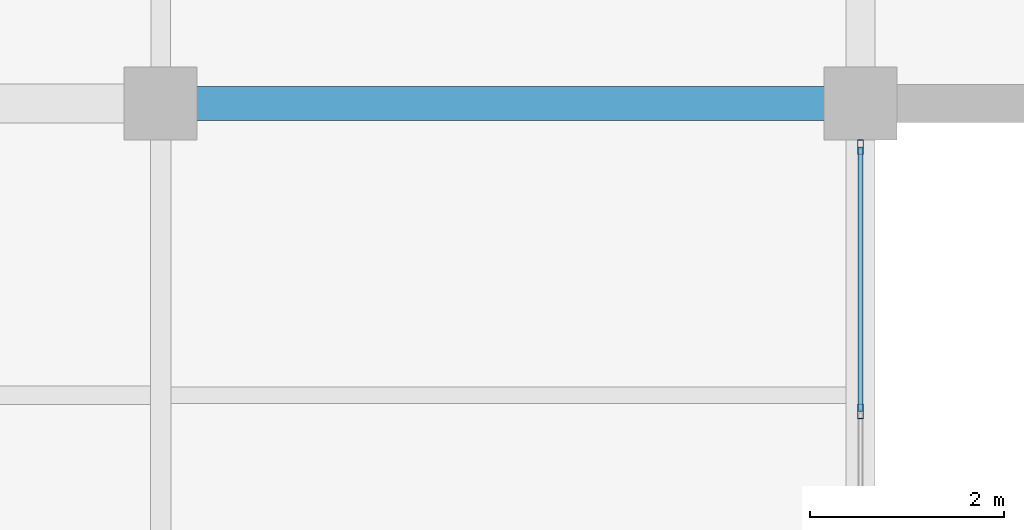
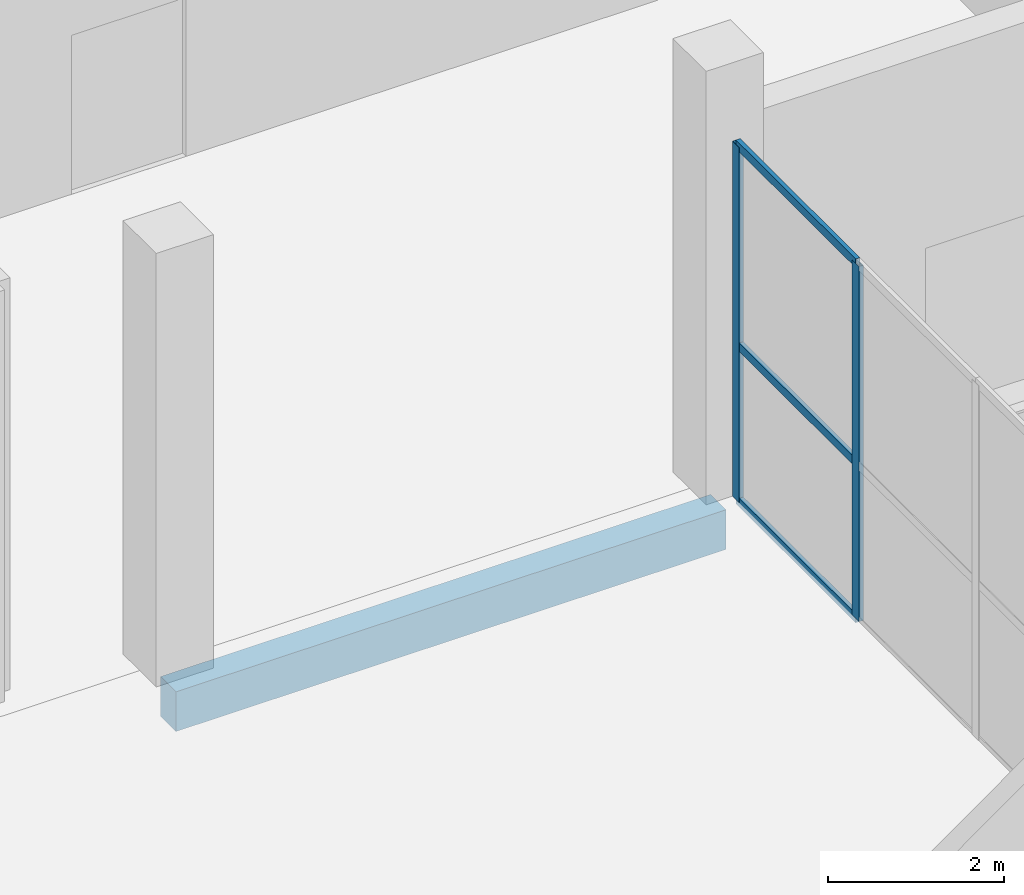
# One storey, part 99 of 144: 5 members, 1 beam, 1 element without a shape of its own.
"""IFC4 building model written with IfcOpenShell, lengths in metres."""

from ifc_helpers import new_model, si_unit, direction, frame, origin, origin_2d, place, context, subcontext, project, spatial, rectangle, hollow_rectangle, extrude, material, layer, layer_set, material_profile, profile_set, type_object, element, aggregate, save


model = new_model("IFC4")

# Units and contexts
model_context = context("Model", 3, precision=1e-05, world=origin(), true_north=direction((0.0, 1.0)))
body_context = subcontext(model_context, "Body", "Model", "MODEL_VIEW")
ifc_project = project(units=[si_unit("LENGTHUNIT", "METRE"), si_unit("AREAUNIT", "SQUARE_METRE"), si_unit("VOLUMEUNIT", "CUBIC_METRE"), si_unit("PLANEANGLEUNIT", "RADIAN"), si_unit("MASSUNIT", "GRAM", prefix="KILO")], contexts=[model_context])

# Site, building, storey
site_placement = place(None, origin())
site = spatial("IfcSite", under=ifc_project, at=site_placement, CompositionType="ELEMENT")
building_placement = place(site_placement, origin())
building = spatial("IfcBuilding", under=site, at=building_placement, Name="Sundgate Opera House", CompositionType="ELEMENT")
storey_placement = place(building_placement, origin())
storey = spatial("IfcBuildingStorey", under=building, at=storey_placement, Name="L00", CompositionType="ELEMENT", Elevation=0.0)

# Beam
ifc_material_1 = material(Name="Concrete C35/45", Category="concrete")
ifc_material_profile_1 = material_profile(ifc_material_1, rectangle(XDim=0.35009765625, YDim=0.550048828125, at=origin_2d()), Name="RC 350x550")
ifc_profile_set_1 = profile_set([ifc_material_profile_1], Name="Concrete C35/45")
beam_type = type_object("IfcBeamType", Name="BM-RC-350x550", PredefinedType="BEAM", material=ifc_profile_set_1)
beam_placement = place(storey_placement, frame((138.60009765625, 69.0, -0.594970703125), z_axis=(1.0, 0.0, 0.0), x_axis=(0.0, 1.0, 0.0)))
element("IfcBeam", 1, at=beam_placement, inside=storey, type_object=beam_type, Name="L00 Primary E-W Girder B0475", PredefinedType="BEAM", context=body_context, shape_type="SweptSolid", body=[
    extrude(rectangle(XDim=0.35009765625, YDim=0.550048828125, at=origin_2d()), origin(), (0.0, 0.0, 1.0), 7.199951171875),
])

# Curtain wall, members
ifc_material_2 = material(Name="Anodized aluminium and low-iron glass", Category="aluminium")
ifc_layer = layer(ifc_material_2, 0.159912109375)
ifc_layer_set = layer_set([ifc_layer], Name="Anodized aluminium and low-iron glass")
curtain_wall_type = type_object("IfcCurtainWallType", Name="CW-STUDIO-DARK", PredefinedType="NOTDEFINED", material=ifc_layer_set)
curtain_wall_placement = place(storey_placement, origin())
curtain_wall = element("IfcCurtainWall", 2, at=curtain_wall_placement, inside=storey, type_object=curtain_wall_type, Name="L00 Curtain Wall CW033", PredefinedType="NOTDEFINED")
ifc_material_3 = material(Name="Anodized aluminium EN AW-6063", Category="aluminium")
ifc_material_profile_2 = material_profile(ifc_material_3, hollow_rectangle(XDim=0.06005859375, YDim=0.14990234375, WallThickness=0.00390625, at=origin_2d()), Name="CWM 150x60x4")
ifc_profile_set_2 = profile_set([ifc_material_profile_2], Name="Anodized aluminium EN AW-6063")
member_type_1 = type_object("IfcMemberType", Name="CWM-ALU-150x60", PredefinedType="MULLION", material=ifc_profile_set_2)
member_1_placement = place(storey_placement, frame((145.800048828125, 65.833251953125, 0.0), z_axis=(0.0, 0.0, 1.0), x_axis=(1.0, 0.0, 0.0)))
member_1 = element("IfcMember", 3, at=member_1_placement, type_object=member_type_1, Name="CW033 Mullion 3", PredefinedType="MULLION", context=body_context, shape_type="SweptSolid", body=[
    extrude(hollow_rectangle(XDim=0.06005859375, YDim=0.14990234375, WallThickness=0.00390625, at=origin_2d()), origin(), (0.0, 0.0, 1.0), 4.9150390625),
])
member_2_placement = place(storey_placement, frame((145.800048828125, 68.550048828125, 0.0), z_axis=(0.0, 0.0, 1.0), x_axis=(1.0, 0.0, 0.0)))
member_2 = element("IfcMember", 4, at=member_2_placement, type_object=member_type_1, Name="CW033 Mullion 4", PredefinedType="MULLION", context=body_context, shape_type="SweptSolid", body=[
    extrude(hollow_rectangle(XDim=0.06005859375, YDim=0.14990234375, WallThickness=0.00390625, at=origin_2d()), origin(), (0.0, 0.0, 1.0), 4.9150390625),
])
ifc_material_4 = material(Name="Anodized aluminium EN AW-6063", Category="aluminium")
ifc_material_profile_3 = material_profile(ifc_material_4, hollow_rectangle(XDim=0.054931640625, YDim=0.1201171875, WallThickness=0.00390625, at=origin_2d()), Name="CWT 120x55x4")
ifc_profile_set_3 = profile_set([ifc_material_profile_3], Name="Anodized aluminium EN AW-6063")
member_type_2 = type_object("IfcMemberType", Name="CWT-ALU-120x55", PredefinedType="USERDEFINED", material=ifc_profile_set_3)
member_3_placement = place(storey_placement, frame((145.800048828125, 65.833251953125, 0.0), z_axis=(0.0, 1.0, 0.0), x_axis=(-1.0, 0.0, 0.0)))
member_3 = element("IfcMember", 5, at=member_3_placement, type_object=member_type_2, Name="CW033 Transom 7", ObjectType="TRANSOM", PredefinedType="USERDEFINED", context=body_context, shape_type="SweptSolid", body=[
    extrude(hollow_rectangle(XDim=0.054931640625, YDim=0.1201171875, WallThickness=0.00390625, at=origin_2d()), origin(), (0.0, 0.0, 1.0), 2.716796875),
])
member_4_placement = place(storey_placement, frame((145.800048828125, 65.833251953125, 2.14990234375), z_axis=(0.0, 1.0, 0.0), x_axis=(-1.0, 0.0, 0.0)))
member_4 = element("IfcMember", 6, at=member_4_placement, type_object=member_type_2, Name="CW033 Transom 8", ObjectType="TRANSOM", PredefinedType="USERDEFINED", context=body_context, shape_type="SweptSolid", body=[
    extrude(hollow_rectangle(XDim=0.054931640625, YDim=0.1201171875, WallThickness=0.00390625, at=origin_2d()), origin(), (0.0, 0.0, 1.0), 2.716796875),
])
member_5_placement = place(storey_placement, frame((145.800048828125, 65.833251953125, 4.9150390625), z_axis=(0.0, 1.0, 0.0), x_axis=(-1.0, 0.0, 0.0)))
member_5 = element("IfcMember", 7, at=member_5_placement, type_object=member_type_2, Name="CW033 Transom 9", ObjectType="TRANSOM", PredefinedType="USERDEFINED", context=body_context, shape_type="SweptSolid", body=[
    extrude(hollow_rectangle(XDim=0.054931640625, YDim=0.1201171875, WallThickness=0.00390625, at=origin_2d()), origin(), (0.0, 0.0, 1.0), 2.716796875),
])
aggregate(curtain_wall, [member_1, member_2, member_3, member_4, member_5])

save(model, "model.ifc")
